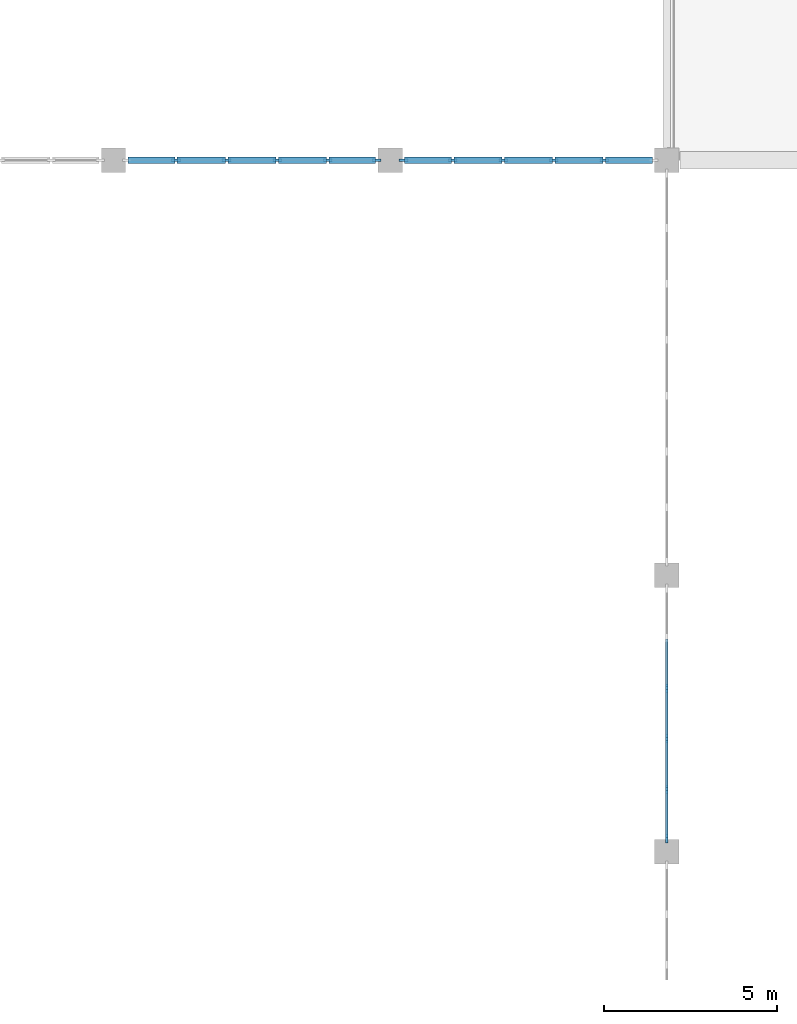
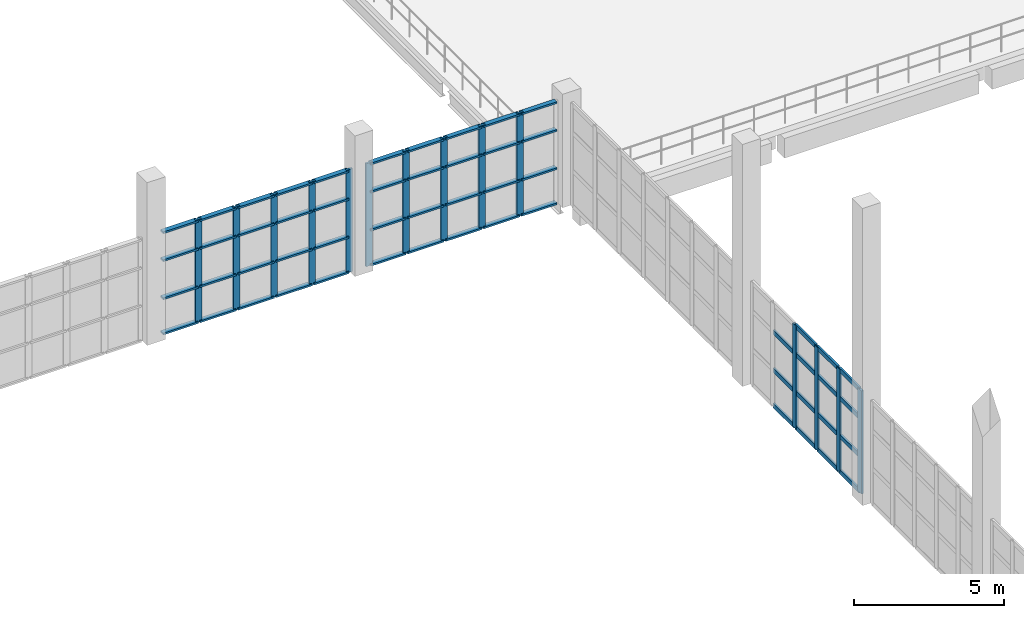
# One storey, part 20 of 66: 69 members, 3 elements without a shape of their own.
"""IFC4 building model written with IfcOpenShell, lengths in metres."""

from ifc_helpers import new_model, si_unit, direction, frame, origin, origin_2d, place, context, subcontext, project, spatial, rectangle, extrude, material, layer, layer_set, material_profile, profile_set, type_object, element, aggregate, save


model = new_model("IFC4")

# Units and contexts
model_context = context("Model", 3, precision=1e-05, world=origin(), true_north=direction((0.0, 1.0)))
body_context = subcontext(model_context, "Body", "Model", "MODEL_VIEW")
ifc_project = project(units=[si_unit("LENGTHUNIT", "METRE"), si_unit("AREAUNIT", "SQUARE_METRE"), si_unit("VOLUMEUNIT", "CUBIC_METRE"), si_unit("PLANEANGLEUNIT", "RADIAN"), si_unit("MASSUNIT", "GRAM", prefix="KILO")], contexts=[model_context])

# Site, building, storey
site_placement = place(None, origin())
site = spatial("IfcSite", under=ifc_project, at=site_placement, CompositionType="ELEMENT")
building_placement = place(site_placement, origin())
building = spatial("IfcBuilding", under=site, at=building_placement, Name="Drelvana Railside Aquatics Centre", CompositionType="ELEMENT")
storey_placement = place(building_placement, frame((0.0, 0.0, 10.199951171875)))
storey = spatial("IfcBuildingStorey", under=building, at=storey_placement, Name="L02", CompositionType="ELEMENT", Elevation=10.199951171875)

# Curtain wall, members
ifc_material_1 = material(Name="Bronze-anodised aluminium curtain wall", Category="aluminium")
ifc_layer = layer(ifc_material_1, 0.219970703125, Name="Bronze-anodised aluminium curtain wall")
ifc_layer_set = layer_set([ifc_layer], Name="Bronze-anodised aluminium curtain wall")
curtain_wall_type = type_object("IfcCurtainWallType", Name="CW-Z3-HIGH", PredefinedType="NOTDEFINED", material=ifc_layer_set)
curtain_wall_1_placement = place(storey_placement, origin())
curtain_wall_1 = element("IfcCurtainWall", 1, at=curtain_wall_1_placement, inside=storey, type_object=curtain_wall_type, Name="Curtain wall CW-03-025", PredefinedType="NOTDEFINED")
ifc_material_2 = material(Name="Bronze-anodised aluminium 6063-T6", Category="aluminium")
ifc_material_profile_1 = material_profile(ifc_material_2, rectangle(XDim=0.080078125, YDim=0.25, at=origin_2d()), Name="ALU-M 80x250")
ifc_profile_set_1 = profile_set([ifc_material_profile_1], Name="Bronze-anodised aluminium 6063-T6")
member_type_1 = type_object("IfcMemberType", Name="CW-Z3-HIGH-MUL", PredefinedType="MULLION", material=ifc_profile_set_1)
member_1_placement = place(storey_placement, frame((81.806396484375, 84.0, -0.005859375), z_axis=(0.0, 0.0, 1.0), x_axis=(0.0, 1.0, 0.0)))
member_1 = element("IfcMember", 2, at=member_1_placement, type_object=member_type_1, Name="CW-03 mullion 2", PredefinedType="MULLION", context=body_context, shape_type="SweptSolid", body=[
    extrude(rectangle(XDim=0.080078125, YDim=0.25, at=origin_2d()), origin(), (0.0, 0.0, 1.0), 4.19580078125),
])
member_2_placement = place(storey_placement, frame((83.268798828125, 84.0, -0.005859375), z_axis=(0.0, 0.0, 1.0), x_axis=(0.0, 1.0, 0.0)))
member_2 = element("IfcMember", 3, at=member_2_placement, type_object=member_type_1, Name="CW-03 mullion 3", PredefinedType="MULLION", context=body_context, shape_type="SweptSolid", body=[
    extrude(rectangle(XDim=0.080078125, YDim=0.25, at=origin_2d()), origin(), (0.0, 0.0, 1.0), 4.19580078125),
])
member_3_placement = place(storey_placement, frame((84.731201171875, 84.0, -0.005859375), z_axis=(0.0, 0.0, 1.0), x_axis=(0.0, 1.0, 0.0)))
member_3 = element("IfcMember", 4, at=member_3_placement, type_object=member_type_1, Name="CW-03 mullion 4", PredefinedType="MULLION", context=body_context, shape_type="SweptSolid", body=[
    extrude(rectangle(XDim=0.080078125, YDim=0.25, at=origin_2d()), origin(), (0.0, 0.0, 1.0), 4.19580078125),
])
member_4_placement = place(storey_placement, frame((86.193603515625, 84.0, -0.005859375), z_axis=(0.0, 0.0, 1.0), x_axis=(0.0, 1.0, 0.0)))
member_4 = element("IfcMember", 5, at=member_4_placement, type_object=member_type_1, Name="CW-03 mullion 5", PredefinedType="MULLION", context=body_context, shape_type="SweptSolid", body=[
    extrude(rectangle(XDim=0.080078125, YDim=0.25, at=origin_2d()), origin(), (0.0, 0.0, 1.0), 4.19580078125),
])
member_5_placement = place(storey_placement, frame((87.615966796875, 84.0, -0.005859375), z_axis=(0.0, 0.0, 1.0), x_axis=(0.0, 1.0, 0.0)))
member_5 = element("IfcMember", 6, at=member_5_placement, type_object=member_type_1, Name="CW-03 mullion 6", PredefinedType="MULLION", context=body_context, shape_type="SweptSolid", body=[
    extrude(rectangle(XDim=0.080078125, YDim=0.25, at=origin_2d()), origin(), (0.0, 0.0, 1.0), 4.19580078125),
])

curtain_wall_2_placement = place(storey_placement, origin())
curtain_wall_2 = element("IfcCurtainWall", 7, at=curtain_wall_2_placement, inside=storey, type_object=curtain_wall_type, Name="Curtain wall CW-03-027", PredefinedType="NOTDEFINED")
member_6_placement = place(storey_placement, frame((88.384033203125, 84.0, -0.005859375), z_axis=(0.0, 0.0, 1.0), x_axis=(0.0, 1.0, 0.0)))
member_6 = element("IfcMember", 8, at=member_6_placement, type_object=member_type_1, Name="CW-03 mullion 1", PredefinedType="MULLION", context=body_context, shape_type="SweptSolid", body=[
    extrude(rectangle(XDim=0.080078125, YDim=0.25, at=origin_2d()), origin(), (0.0, 0.0, 1.0), 4.19580078125),
])
member_7_placement = place(storey_placement, frame((89.806396484375, 84.0, -0.005859375), z_axis=(0.0, 0.0, 1.0), x_axis=(0.0, 1.0, 0.0)))
member_7 = element("IfcMember", 9, at=member_7_placement, type_object=member_type_1, Name="CW-03 mullion 2", PredefinedType="MULLION", context=body_context, shape_type="SweptSolid", body=[
    extrude(rectangle(XDim=0.080078125, YDim=0.25, at=origin_2d()), origin(), (0.0, 0.0, 1.0), 4.19580078125),
])
member_8_placement = place(storey_placement, frame((91.268798828125, 84.0, -0.005859375), z_axis=(0.0, 0.0, 1.0), x_axis=(0.0, 1.0, 0.0)))
member_8 = element("IfcMember", 10, at=member_8_placement, type_object=member_type_1, Name="CW-03 mullion 3", PredefinedType="MULLION", context=body_context, shape_type="SweptSolid", body=[
    extrude(rectangle(XDim=0.080078125, YDim=0.25, at=origin_2d()), origin(), (0.0, 0.0, 1.0), 4.19580078125),
])
member_9_placement = place(storey_placement, frame((92.731201171875, 84.0, -0.005859375), z_axis=(0.0, 0.0, 1.0), x_axis=(0.0, 1.0, 0.0)))
member_9 = element("IfcMember", 11, at=member_9_placement, type_object=member_type_1, Name="CW-03 mullion 4", PredefinedType="MULLION", context=body_context, shape_type="SweptSolid", body=[
    extrude(rectangle(XDim=0.080078125, YDim=0.25, at=origin_2d()), origin(), (0.0, 0.0, 1.0), 4.19580078125),
])
member_10_placement = place(storey_placement, frame((94.193603515625, 84.0, -0.005859375), z_axis=(0.0, 0.0, 1.0), x_axis=(0.0, 1.0, 0.0)))
member_10 = element("IfcMember", 12, at=member_10_placement, type_object=member_type_1, Name="CW-03 mullion 5", PredefinedType="MULLION", context=body_context, shape_type="SweptSolid", body=[
    extrude(rectangle(XDim=0.080078125, YDim=0.25, at=origin_2d()), origin(), (0.0, 0.0, 1.0), 4.19580078125),
])

curtain_wall_3_placement = place(storey_placement, origin())
curtain_wall_3 = element("IfcCurtainWall", 13, at=curtain_wall_3_placement, inside=storey, type_object=curtain_wall_type, Name="Curtain wall CW-03-076", PredefinedType="NOTDEFINED")
member_11_placement = place(storey_placement, frame((96.0, 64.384033203125, -0.005859375), z_axis=(0.0, 0.0, 1.0), x_axis=(-1.0, 0.0, 0.0)))
member_11 = element("IfcMember", 14, at=member_11_placement, type_object=member_type_1, Name="CW-03 mullion 1", PredefinedType="MULLION", context=body_context, shape_type="SweptSolid", body=[
    extrude(rectangle(XDim=0.080078125, YDim=0.25, at=origin_2d()), origin(), (0.0, 0.0, 1.0), 4.19580078125),
])
member_12_placement = place(storey_placement, frame((96.0, 65.806396484375, -0.005859375), z_axis=(0.0, 0.0, 1.0), x_axis=(-1.0, 0.0, 0.0)))
member_12 = element("IfcMember", 15, at=member_12_placement, type_object=member_type_1, Name="CW-03 mullion 2", PredefinedType="MULLION", context=body_context, shape_type="SweptSolid", body=[
    extrude(rectangle(XDim=0.080078125, YDim=0.25, at=origin_2d()), origin(), (0.0, 0.0, 1.0), 4.19580078125),
])
member_13_placement = place(storey_placement, frame((96.0, 67.268798828125, -0.005859375), z_axis=(0.0, 0.0, 1.0), x_axis=(-1.0, 0.0, 0.0)))
member_13 = element("IfcMember", 16, at=member_13_placement, type_object=member_type_1, Name="CW-03 mullion 3", PredefinedType="MULLION", context=body_context, shape_type="SweptSolid", body=[
    extrude(rectangle(XDim=0.080078125, YDim=0.25, at=origin_2d()), origin(), (0.0, 0.0, 1.0), 4.19580078125),
])
member_14_placement = place(storey_placement, frame((96.0, 68.731201171875, -0.005859375), z_axis=(0.0, 0.0, 1.0), x_axis=(-1.0, 0.0, 0.0)))
member_14 = element("IfcMember", 17, at=member_14_placement, type_object=member_type_1, Name="CW-03 mullion 4", PredefinedType="MULLION", context=body_context, shape_type="SweptSolid", body=[
    extrude(rectangle(XDim=0.080078125, YDim=0.25, at=origin_2d()), origin(), (0.0, 0.0, 1.0), 4.19580078125),
])

# Member
ifc_material_profile_2 = material_profile(ifc_material_2, rectangle(XDim=0.179931640625, YDim=0.074951171875, at=origin_2d()), Name="ALU-T 75x180")
ifc_profile_set_2 = profile_set([ifc_material_profile_2], Name="Bronze-anodised aluminium 6063-T6")
member_type_2 = type_object("IfcMemberType", Name="CW-Z3-HIGH-TRN", PredefinedType="USERDEFINED", material=ifc_profile_set_2)
member_15_placement = place(storey_placement, frame((80.4189453125, 84.0, 0.031494140625), z_axis=(1.0, 0.0, 0.0), x_axis=(0.0, 1.0, 0.0)))
member_15 = element("IfcMember", 18, at=member_15_placement, type_object=member_type_2, Name="CW-03 transom 1.1", ObjectType="TRANSOM", PredefinedType="USERDEFINED", context=body_context, shape_type="SweptSolid", body=[
    extrude(rectangle(XDim=0.179931640625, YDim=0.074951171875, at=origin_2d()), origin(), (0.0, 0.0, 1.0), 1.3525390625),
])

member_16_placement = place(storey_placement, frame((80.4189453125, 84.0, 1.463134765625), z_axis=(1.0, 0.0, 0.0), x_axis=(0.0, 1.0, 0.0)))
member_16 = element("IfcMember", 19, at=member_16_placement, type_object=member_type_2, Name="CW-03 transom 1.2", ObjectType="TRANSOM", PredefinedType="USERDEFINED", context=body_context, shape_type="SweptSolid", body=[
    extrude(rectangle(XDim=0.179931640625, YDim=0.074951171875, at=origin_2d()), origin(), (0.0, 0.0, 1.0), 1.3525390625),
])

member_17_placement = place(storey_placement, frame((80.4189453125, 84.0, 3.01513671875), z_axis=(1.0, 0.0, 0.0), x_axis=(0.0, 1.0, 0.0)))
member_17 = element("IfcMember", 20, at=member_17_placement, type_object=member_type_2, Name="CW-03 transom 1.3", ObjectType="TRANSOM", PredefinedType="USERDEFINED", context=body_context, shape_type="SweptSolid", body=[
    extrude(rectangle(XDim=0.179931640625, YDim=0.074951171875, at=origin_2d()), origin(), (0.0, 0.0, 1.0), 1.3525390625),
])

member_18_placement = place(storey_placement, frame((80.4189453125, 84.0, 4.152587890625), z_axis=(1.0, 0.0, 0.0), x_axis=(0.0, 1.0, 0.0)))
member_18 = element("IfcMember", 21, at=member_18_placement, type_object=member_type_2, Name="CW-03 transom 1.4", ObjectType="TRANSOM", PredefinedType="USERDEFINED", context=body_context, shape_type="SweptSolid", body=[
    extrude(rectangle(XDim=0.179931640625, YDim=0.074951171875, at=origin_2d()), origin(), (0.0, 0.0, 1.0), 1.3525390625),
])

member_19_placement = place(storey_placement, frame((81.84130859375, 84.0, 0.031494140625), z_axis=(1.0, 0.0, 0.0), x_axis=(0.0, 1.0, 0.0)))
member_19 = element("IfcMember", 22, at=member_19_placement, type_object=member_type_2, Name="CW-03 transom 2.1", ObjectType="TRANSOM", PredefinedType="USERDEFINED", context=body_context, shape_type="SweptSolid", body=[
    extrude(rectangle(XDim=0.179931640625, YDim=0.074951171875, at=origin_2d()), origin(), (0.0, 0.0, 1.0), 1.392578125),
])

member_20_placement = place(storey_placement, frame((81.84130859375, 84.0, 1.463134765625), z_axis=(1.0, 0.0, 0.0), x_axis=(0.0, 1.0, 0.0)))
member_20 = element("IfcMember", 23, at=member_20_placement, type_object=member_type_2, Name="CW-03 transom 2.2", ObjectType="TRANSOM", PredefinedType="USERDEFINED", context=body_context, shape_type="SweptSolid", body=[
    extrude(rectangle(XDim=0.179931640625, YDim=0.074951171875, at=origin_2d()), origin(), (0.0, 0.0, 1.0), 1.392578125),
])

member_21_placement = place(storey_placement, frame((81.84130859375, 84.0, 3.01513671875), z_axis=(1.0, 0.0, 0.0), x_axis=(0.0, 1.0, 0.0)))
member_21 = element("IfcMember", 24, at=member_21_placement, type_object=member_type_2, Name="CW-03 transom 2.3", ObjectType="TRANSOM", PredefinedType="USERDEFINED", context=body_context, shape_type="SweptSolid", body=[
    extrude(rectangle(XDim=0.179931640625, YDim=0.074951171875, at=origin_2d()), origin(), (0.0, 0.0, 1.0), 1.392578125),
])

member_22_placement = place(storey_placement, frame((81.84130859375, 84.0, 4.152587890625), z_axis=(1.0, 0.0, 0.0), x_axis=(0.0, 1.0, 0.0)))
member_22 = element("IfcMember", 25, at=member_22_placement, type_object=member_type_2, Name="CW-03 transom 2.4", ObjectType="TRANSOM", PredefinedType="USERDEFINED", context=body_context, shape_type="SweptSolid", body=[
    extrude(rectangle(XDim=0.179931640625, YDim=0.074951171875, at=origin_2d()), origin(), (0.0, 0.0, 1.0), 1.392578125),
])

member_23_placement = place(storey_placement, frame((83.3037109375, 84.0, 0.031494140625), z_axis=(1.0, 0.0, 0.0), x_axis=(0.0, 1.0, 0.0)))
member_23 = element("IfcMember", 26, at=member_23_placement, type_object=member_type_2, Name="CW-03 transom 3.1", ObjectType="TRANSOM", PredefinedType="USERDEFINED", context=body_context, shape_type="SweptSolid", body=[
    extrude(rectangle(XDim=0.179931640625, YDim=0.074951171875, at=origin_2d()), origin(), (0.0, 0.0, 1.0), 1.392578125),
])

member_24_placement = place(storey_placement, frame((83.3037109375, 84.0, 1.463134765625), z_axis=(1.0, 0.0, 0.0), x_axis=(0.0, 1.0, 0.0)))
member_24 = element("IfcMember", 27, at=member_24_placement, type_object=member_type_2, Name="CW-03 transom 3.2", ObjectType="TRANSOM", PredefinedType="USERDEFINED", context=body_context, shape_type="SweptSolid", body=[
    extrude(rectangle(XDim=0.179931640625, YDim=0.074951171875, at=origin_2d()), origin(), (0.0, 0.0, 1.0), 1.392578125),
])

member_25_placement = place(storey_placement, frame((83.3037109375, 84.0, 3.01513671875), z_axis=(1.0, 0.0, 0.0), x_axis=(0.0, 1.0, 0.0)))
member_25 = element("IfcMember", 28, at=member_25_placement, type_object=member_type_2, Name="CW-03 transom 3.3", ObjectType="TRANSOM", PredefinedType="USERDEFINED", context=body_context, shape_type="SweptSolid", body=[
    extrude(rectangle(XDim=0.179931640625, YDim=0.074951171875, at=origin_2d()), origin(), (0.0, 0.0, 1.0), 1.392578125),
])

member_26_placement = place(storey_placement, frame((83.3037109375, 84.0, 4.152587890625), z_axis=(1.0, 0.0, 0.0), x_axis=(0.0, 1.0, 0.0)))
member_26 = element("IfcMember", 29, at=member_26_placement, type_object=member_type_2, Name="CW-03 transom 3.4", ObjectType="TRANSOM", PredefinedType="USERDEFINED", context=body_context, shape_type="SweptSolid", body=[
    extrude(rectangle(XDim=0.179931640625, YDim=0.074951171875, at=origin_2d()), origin(), (0.0, 0.0, 1.0), 1.392578125),
])

member_27_placement = place(storey_placement, frame((84.76611328125, 84.0, 0.031494140625), z_axis=(1.0, 0.0, 0.0), x_axis=(0.0, 1.0, 0.0)))
member_27 = element("IfcMember", 30, at=member_27_placement, type_object=member_type_2, Name="CW-03 transom 4.1", ObjectType="TRANSOM", PredefinedType="USERDEFINED", context=body_context, shape_type="SweptSolid", body=[
    extrude(rectangle(XDim=0.179931640625, YDim=0.074951171875, at=origin_2d()), origin(), (0.0, 0.0, 1.0), 1.392578125),
])

member_28_placement = place(storey_placement, frame((84.76611328125, 84.0, 1.463134765625), z_axis=(1.0, 0.0, 0.0), x_axis=(0.0, 1.0, 0.0)))
member_28 = element("IfcMember", 31, at=member_28_placement, type_object=member_type_2, Name="CW-03 transom 4.2", ObjectType="TRANSOM", PredefinedType="USERDEFINED", context=body_context, shape_type="SweptSolid", body=[
    extrude(rectangle(XDim=0.179931640625, YDim=0.074951171875, at=origin_2d()), origin(), (0.0, 0.0, 1.0), 1.392578125),
])

member_29_placement = place(storey_placement, frame((84.76611328125, 84.0, 3.01513671875), z_axis=(1.0, 0.0, 0.0), x_axis=(0.0, 1.0, 0.0)))
member_29 = element("IfcMember", 32, at=member_29_placement, type_object=member_type_2, Name="CW-03 transom 4.3", ObjectType="TRANSOM", PredefinedType="USERDEFINED", context=body_context, shape_type="SweptSolid", body=[
    extrude(rectangle(XDim=0.179931640625, YDim=0.074951171875, at=origin_2d()), origin(), (0.0, 0.0, 1.0), 1.392578125),
])

member_30_placement = place(storey_placement, frame((84.76611328125, 84.0, 4.152587890625), z_axis=(1.0, 0.0, 0.0), x_axis=(0.0, 1.0, 0.0)))
member_30 = element("IfcMember", 33, at=member_30_placement, type_object=member_type_2, Name="CW-03 transom 4.4", ObjectType="TRANSOM", PredefinedType="USERDEFINED", context=body_context, shape_type="SweptSolid", body=[
    extrude(rectangle(XDim=0.179931640625, YDim=0.074951171875, at=origin_2d()), origin(), (0.0, 0.0, 1.0), 1.392578125),
])

member_31_placement = place(storey_placement, frame((86.228515625, 84.0, 0.031494140625), z_axis=(1.0, 0.0, 0.0), x_axis=(0.0, 1.0, 0.0)))
member_31 = element("IfcMember", 34, at=member_31_placement, type_object=member_type_2, Name="CW-03 transom 5.1", ObjectType="TRANSOM", PredefinedType="USERDEFINED", context=body_context, shape_type="SweptSolid", body=[
    extrude(rectangle(XDim=0.179931640625, YDim=0.074951171875, at=origin_2d()), origin(), (0.0, 0.0, 1.0), 1.3525390625),
])

member_32_placement = place(storey_placement, frame((86.228515625, 84.0, 1.463134765625), z_axis=(1.0, 0.0, 0.0), x_axis=(0.0, 1.0, 0.0)))
member_32 = element("IfcMember", 35, at=member_32_placement, type_object=member_type_2, Name="CW-03 transom 5.2", ObjectType="TRANSOM", PredefinedType="USERDEFINED", context=body_context, shape_type="SweptSolid", body=[
    extrude(rectangle(XDim=0.179931640625, YDim=0.074951171875, at=origin_2d()), origin(), (0.0, 0.0, 1.0), 1.3525390625),
])

member_33_placement = place(storey_placement, frame((86.228515625, 84.0, 3.01513671875), z_axis=(1.0, 0.0, 0.0), x_axis=(0.0, 1.0, 0.0)))
member_33 = element("IfcMember", 36, at=member_33_placement, type_object=member_type_2, Name="CW-03 transom 5.3", ObjectType="TRANSOM", PredefinedType="USERDEFINED", context=body_context, shape_type="SweptSolid", body=[
    extrude(rectangle(XDim=0.179931640625, YDim=0.074951171875, at=origin_2d()), origin(), (0.0, 0.0, 1.0), 1.3525390625),
])

member_34_placement = place(storey_placement, frame((86.228515625, 84.0, 4.152587890625), z_axis=(1.0, 0.0, 0.0), x_axis=(0.0, 1.0, 0.0)))
member_34 = element("IfcMember", 37, at=member_34_placement, type_object=member_type_2, Name="CW-03 transom 5.4", ObjectType="TRANSOM", PredefinedType="USERDEFINED", context=body_context, shape_type="SweptSolid", body=[
    extrude(rectangle(XDim=0.179931640625, YDim=0.074951171875, at=origin_2d()), origin(), (0.0, 0.0, 1.0), 1.3525390625),
])

aggregate(curtain_wall_1, [member_1, member_2, member_3, member_4, member_5, member_15, member_16, member_17, member_18, member_19, member_20, member_21, member_22, member_23, member_24, member_25, member_26, member_27, member_28, member_29, member_30, member_31, member_32, member_33, member_34])

member_35_placement = place(storey_placement, frame((88.4189453125, 84.0, 0.031494140625), z_axis=(1.0, 0.0, 0.0), x_axis=(0.0, 1.0, 0.0)))
member_35 = element("IfcMember", 38, at=member_35_placement, type_object=member_type_2, Name="CW-03 transom 1.1", ObjectType="TRANSOM", PredefinedType="USERDEFINED", context=body_context, shape_type="SweptSolid", body=[
    extrude(rectangle(XDim=0.179931640625, YDim=0.074951171875, at=origin_2d()), origin(), (0.0, 0.0, 1.0), 1.3525390625),
])

member_36_placement = place(storey_placement, frame((88.4189453125, 84.0, 1.463134765625), z_axis=(1.0, 0.0, 0.0), x_axis=(0.0, 1.0, 0.0)))
member_36 = element("IfcMember", 39, at=member_36_placement, type_object=member_type_2, Name="CW-03 transom 1.2", ObjectType="TRANSOM", PredefinedType="USERDEFINED", context=body_context, shape_type="SweptSolid", body=[
    extrude(rectangle(XDim=0.179931640625, YDim=0.074951171875, at=origin_2d()), origin(), (0.0, 0.0, 1.0), 1.3525390625),
])

member_37_placement = place(storey_placement, frame((88.4189453125, 84.0, 3.01513671875), z_axis=(1.0, 0.0, 0.0), x_axis=(0.0, 1.0, 0.0)))
member_37 = element("IfcMember", 40, at=member_37_placement, type_object=member_type_2, Name="CW-03 transom 1.3", ObjectType="TRANSOM", PredefinedType="USERDEFINED", context=body_context, shape_type="SweptSolid", body=[
    extrude(rectangle(XDim=0.179931640625, YDim=0.074951171875, at=origin_2d()), origin(), (0.0, 0.0, 1.0), 1.3525390625),
])

member_38_placement = place(storey_placement, frame((88.4189453125, 84.0, 4.152587890625), z_axis=(1.0, 0.0, 0.0), x_axis=(0.0, 1.0, 0.0)))
member_38 = element("IfcMember", 41, at=member_38_placement, type_object=member_type_2, Name="CW-03 transom 1.4", ObjectType="TRANSOM", PredefinedType="USERDEFINED", context=body_context, shape_type="SweptSolid", body=[
    extrude(rectangle(XDim=0.179931640625, YDim=0.074951171875, at=origin_2d()), origin(), (0.0, 0.0, 1.0), 1.3525390625),
])

member_39_placement = place(storey_placement, frame((89.84130859375, 84.0, 0.031494140625), z_axis=(1.0, 0.0, 0.0), x_axis=(0.0, 1.0, 0.0)))
member_39 = element("IfcMember", 42, at=member_39_placement, type_object=member_type_2, Name="CW-03 transom 2.1", ObjectType="TRANSOM", PredefinedType="USERDEFINED", context=body_context, shape_type="SweptSolid", body=[
    extrude(rectangle(XDim=0.179931640625, YDim=0.074951171875, at=origin_2d()), origin(), (0.0, 0.0, 1.0), 1.392578125),
])

member_40_placement = place(storey_placement, frame((89.84130859375, 84.0, 1.463134765625), z_axis=(1.0, 0.0, 0.0), x_axis=(0.0, 1.0, 0.0)))
member_40 = element("IfcMember", 43, at=member_40_placement, type_object=member_type_2, Name="CW-03 transom 2.2", ObjectType="TRANSOM", PredefinedType="USERDEFINED", context=body_context, shape_type="SweptSolid", body=[
    extrude(rectangle(XDim=0.179931640625, YDim=0.074951171875, at=origin_2d()), origin(), (0.0, 0.0, 1.0), 1.392578125),
])

member_41_placement = place(storey_placement, frame((89.84130859375, 84.0, 3.01513671875), z_axis=(1.0, 0.0, 0.0), x_axis=(0.0, 1.0, 0.0)))
member_41 = element("IfcMember", 44, at=member_41_placement, type_object=member_type_2, Name="CW-03 transom 2.3", ObjectType="TRANSOM", PredefinedType="USERDEFINED", context=body_context, shape_type="SweptSolid", body=[
    extrude(rectangle(XDim=0.179931640625, YDim=0.074951171875, at=origin_2d()), origin(), (0.0, 0.0, 1.0), 1.392578125),
])

member_42_placement = place(storey_placement, frame((89.84130859375, 84.0, 4.152587890625), z_axis=(1.0, 0.0, 0.0), x_axis=(0.0, 1.0, 0.0)))
member_42 = element("IfcMember", 45, at=member_42_placement, type_object=member_type_2, Name="CW-03 transom 2.4", ObjectType="TRANSOM", PredefinedType="USERDEFINED", context=body_context, shape_type="SweptSolid", body=[
    extrude(rectangle(XDim=0.179931640625, YDim=0.074951171875, at=origin_2d()), origin(), (0.0, 0.0, 1.0), 1.392578125),
])

member_43_placement = place(storey_placement, frame((91.3037109375, 84.0, 0.031494140625), z_axis=(1.0, 0.0, 0.0), x_axis=(0.0, 1.0, 0.0)))
member_43 = element("IfcMember", 46, at=member_43_placement, type_object=member_type_2, Name="CW-03 transom 3.1", ObjectType="TRANSOM", PredefinedType="USERDEFINED", context=body_context, shape_type="SweptSolid", body=[
    extrude(rectangle(XDim=0.179931640625, YDim=0.074951171875, at=origin_2d()), origin(), (0.0, 0.0, 1.0), 1.392578125),
])

member_44_placement = place(storey_placement, frame((91.3037109375, 84.0, 1.463134765625), z_axis=(1.0, 0.0, 0.0), x_axis=(0.0, 1.0, 0.0)))
member_44 = element("IfcMember", 47, at=member_44_placement, type_object=member_type_2, Name="CW-03 transom 3.2", ObjectType="TRANSOM", PredefinedType="USERDEFINED", context=body_context, shape_type="SweptSolid", body=[
    extrude(rectangle(XDim=0.179931640625, YDim=0.074951171875, at=origin_2d()), origin(), (0.0, 0.0, 1.0), 1.392578125),
])

member_45_placement = place(storey_placement, frame((91.3037109375, 84.0, 3.01513671875), z_axis=(1.0, 0.0, 0.0), x_axis=(0.0, 1.0, 0.0)))
member_45 = element("IfcMember", 48, at=member_45_placement, type_object=member_type_2, Name="CW-03 transom 3.3", ObjectType="TRANSOM", PredefinedType="USERDEFINED", context=body_context, shape_type="SweptSolid", body=[
    extrude(rectangle(XDim=0.179931640625, YDim=0.074951171875, at=origin_2d()), origin(), (0.0, 0.0, 1.0), 1.392578125),
])

member_46_placement = place(storey_placement, frame((91.3037109375, 84.0, 4.152587890625), z_axis=(1.0, 0.0, 0.0), x_axis=(0.0, 1.0, 0.0)))
member_46 = element("IfcMember", 49, at=member_46_placement, type_object=member_type_2, Name="CW-03 transom 3.4", ObjectType="TRANSOM", PredefinedType="USERDEFINED", context=body_context, shape_type="SweptSolid", body=[
    extrude(rectangle(XDim=0.179931640625, YDim=0.074951171875, at=origin_2d()), origin(), (0.0, 0.0, 1.0), 1.392578125),
])

member_47_placement = place(storey_placement, frame((92.76611328125, 84.0, 0.031494140625), z_axis=(1.0, 0.0, 0.0), x_axis=(0.0, 1.0, 0.0)))
member_47 = element("IfcMember", 50, at=member_47_placement, type_object=member_type_2, Name="CW-03 transom 4.1", ObjectType="TRANSOM", PredefinedType="USERDEFINED", context=body_context, shape_type="SweptSolid", body=[
    extrude(rectangle(XDim=0.179931640625, YDim=0.074951171875, at=origin_2d()), origin(), (0.0, 0.0, 1.0), 1.392578125),
])

member_48_placement = place(storey_placement, frame((92.76611328125, 84.0, 1.463134765625), z_axis=(1.0, 0.0, 0.0), x_axis=(0.0, 1.0, 0.0)))
member_48 = element("IfcMember", 51, at=member_48_placement, type_object=member_type_2, Name="CW-03 transom 4.2", ObjectType="TRANSOM", PredefinedType="USERDEFINED", context=body_context, shape_type="SweptSolid", body=[
    extrude(rectangle(XDim=0.179931640625, YDim=0.074951171875, at=origin_2d()), origin(), (0.0, 0.0, 1.0), 1.392578125),
])

member_49_placement = place(storey_placement, frame((92.76611328125, 84.0, 3.01513671875), z_axis=(1.0, 0.0, 0.0), x_axis=(0.0, 1.0, 0.0)))
member_49 = element("IfcMember", 52, at=member_49_placement, type_object=member_type_2, Name="CW-03 transom 4.3", ObjectType="TRANSOM", PredefinedType="USERDEFINED", context=body_context, shape_type="SweptSolid", body=[
    extrude(rectangle(XDim=0.179931640625, YDim=0.074951171875, at=origin_2d()), origin(), (0.0, 0.0, 1.0), 1.392578125),
])

member_50_placement = place(storey_placement, frame((92.76611328125, 84.0, 4.152587890625), z_axis=(1.0, 0.0, 0.0), x_axis=(0.0, 1.0, 0.0)))
member_50 = element("IfcMember", 53, at=member_50_placement, type_object=member_type_2, Name="CW-03 transom 4.4", ObjectType="TRANSOM", PredefinedType="USERDEFINED", context=body_context, shape_type="SweptSolid", body=[
    extrude(rectangle(XDim=0.179931640625, YDim=0.074951171875, at=origin_2d()), origin(), (0.0, 0.0, 1.0), 1.392578125),
])

member_51_placement = place(storey_placement, frame((94.228515625, 84.0, 0.031494140625), z_axis=(1.0, 0.0, 0.0), x_axis=(0.0, 1.0, 0.0)))
member_51 = element("IfcMember", 54, at=member_51_placement, type_object=member_type_2, Name="CW-03 transom 5.1", ObjectType="TRANSOM", PredefinedType="USERDEFINED", context=body_context, shape_type="SweptSolid", body=[
    extrude(rectangle(XDim=0.179931640625, YDim=0.074951171875, at=origin_2d()), origin(), (0.0, 0.0, 1.0), 1.3525390625),
])

member_52_placement = place(storey_placement, frame((94.228515625, 84.0, 1.463134765625), z_axis=(1.0, 0.0, 0.0), x_axis=(0.0, 1.0, 0.0)))
member_52 = element("IfcMember", 55, at=member_52_placement, type_object=member_type_2, Name="CW-03 transom 5.2", ObjectType="TRANSOM", PredefinedType="USERDEFINED", context=body_context, shape_type="SweptSolid", body=[
    extrude(rectangle(XDim=0.179931640625, YDim=0.074951171875, at=origin_2d()), origin(), (0.0, 0.0, 1.0), 1.3525390625),
])

member_53_placement = place(storey_placement, frame((94.228515625, 84.0, 3.01513671875), z_axis=(1.0, 0.0, 0.0), x_axis=(0.0, 1.0, 0.0)))
member_53 = element("IfcMember", 56, at=member_53_placement, type_object=member_type_2, Name="CW-03 transom 5.3", ObjectType="TRANSOM", PredefinedType="USERDEFINED", context=body_context, shape_type="SweptSolid", body=[
    extrude(rectangle(XDim=0.179931640625, YDim=0.074951171875, at=origin_2d()), origin(), (0.0, 0.0, 1.0), 1.3525390625),
])

member_54_placement = place(storey_placement, frame((94.228515625, 84.0, 4.152587890625), z_axis=(1.0, 0.0, 0.0), x_axis=(0.0, 1.0, 0.0)))
member_54 = element("IfcMember", 57, at=member_54_placement, type_object=member_type_2, Name="CW-03 transom 5.4", ObjectType="TRANSOM", PredefinedType="USERDEFINED", context=body_context, shape_type="SweptSolid", body=[
    extrude(rectangle(XDim=0.179931640625, YDim=0.074951171875, at=origin_2d()), origin(), (0.0, 0.0, 1.0), 1.3525390625),
])

aggregate(curtain_wall_2, [member_6, member_7, member_8, member_9, member_10, member_35, member_36, member_37, member_38, member_39, member_40, member_41, member_42, member_43, member_44, member_45, member_46, member_47, member_48, member_49, member_50, member_51, member_52, member_53, member_54])

member_55_placement = place(storey_placement, frame((96.0, 64.4189453125, 0.031494140625), z_axis=(0.0, 1.0, 0.0), x_axis=(0.0, 0.0, 1.0)))
member_55 = element("IfcMember", 58, at=member_55_placement, type_object=member_type_2, Name="CW-03 transom 1.1", ObjectType="TRANSOM", PredefinedType="USERDEFINED", context=body_context, shape_type="SweptSolid", body=[
    extrude(rectangle(XDim=0.179931640625, YDim=0.074951171875, at=origin_2d()), origin(), (0.0, 0.0, 1.0), 1.3525390625),
])

member_56_placement = place(storey_placement, frame((96.0, 64.4189453125, 1.463134765625), z_axis=(0.0, 1.0, 0.0), x_axis=(0.0, 0.0, 1.0)))
member_56 = element("IfcMember", 59, at=member_56_placement, type_object=member_type_2, Name="CW-03 transom 1.2", ObjectType="TRANSOM", PredefinedType="USERDEFINED", context=body_context, shape_type="SweptSolid", body=[
    extrude(rectangle(XDim=0.179931640625, YDim=0.074951171875, at=origin_2d()), origin(), (0.0, 0.0, 1.0), 1.3525390625),
])

member_57_placement = place(storey_placement, frame((96.0, 64.4189453125, 3.01513671875), z_axis=(0.0, 1.0, 0.0), x_axis=(0.0, 0.0, 1.0)))
member_57 = element("IfcMember", 60, at=member_57_placement, type_object=member_type_2, Name="CW-03 transom 1.3", ObjectType="TRANSOM", PredefinedType="USERDEFINED", context=body_context, shape_type="SweptSolid", body=[
    extrude(rectangle(XDim=0.179931640625, YDim=0.074951171875, at=origin_2d()), origin(), (0.0, 0.0, 1.0), 1.3525390625),
])

member_58_placement = place(storey_placement, frame((96.0, 64.4189453125, 4.152587890625), z_axis=(0.0, 1.0, 0.0), x_axis=(0.0, 0.0, 1.0)))
member_58 = element("IfcMember", 61, at=member_58_placement, type_object=member_type_2, Name="CW-03 transom 1.4", ObjectType="TRANSOM", PredefinedType="USERDEFINED", context=body_context, shape_type="SweptSolid", body=[
    extrude(rectangle(XDim=0.179931640625, YDim=0.074951171875, at=origin_2d()), origin(), (0.0, 0.0, 1.0), 1.3525390625),
])

member_59_placement = place(storey_placement, frame((96.0, 65.84130859375, 0.031494140625), z_axis=(0.0, 1.0, 0.0), x_axis=(0.0, 0.0, 1.0)))
member_59 = element("IfcMember", 62, at=member_59_placement, type_object=member_type_2, Name="CW-03 transom 2.1", ObjectType="TRANSOM", PredefinedType="USERDEFINED", context=body_context, shape_type="SweptSolid", body=[
    extrude(rectangle(XDim=0.179931640625, YDim=0.074951171875, at=origin_2d()), origin(), (0.0, 0.0, 1.0), 1.392578125),
])

member_60_placement = place(storey_placement, frame((96.0, 65.84130859375, 1.463134765625), z_axis=(0.0, 1.0, 0.0), x_axis=(0.0, 0.0, 1.0)))
member_60 = element("IfcMember", 63, at=member_60_placement, type_object=member_type_2, Name="CW-03 transom 2.2", ObjectType="TRANSOM", PredefinedType="USERDEFINED", context=body_context, shape_type="SweptSolid", body=[
    extrude(rectangle(XDim=0.179931640625, YDim=0.074951171875, at=origin_2d()), origin(), (0.0, 0.0, 1.0), 1.392578125),
])

member_61_placement = place(storey_placement, frame((96.0, 65.84130859375, 3.01513671875), z_axis=(0.0, 1.0, 0.0), x_axis=(0.0, 0.0, 1.0)))
member_61 = element("IfcMember", 64, at=member_61_placement, type_object=member_type_2, Name="CW-03 transom 2.3", ObjectType="TRANSOM", PredefinedType="USERDEFINED", context=body_context, shape_type="SweptSolid", body=[
    extrude(rectangle(XDim=0.179931640625, YDim=0.074951171875, at=origin_2d()), origin(), (0.0, 0.0, 1.0), 1.392578125),
])

member_62_placement = place(storey_placement, frame((96.0, 65.84130859375, 4.152587890625), z_axis=(0.0, 1.0, 0.0), x_axis=(0.0, 0.0, 1.0)))
member_62 = element("IfcMember", 65, at=member_62_placement, type_object=member_type_2, Name="CW-03 transom 2.4", ObjectType="TRANSOM", PredefinedType="USERDEFINED", context=body_context, shape_type="SweptSolid", body=[
    extrude(rectangle(XDim=0.179931640625, YDim=0.074951171875, at=origin_2d()), origin(), (0.0, 0.0, 1.0), 1.392578125),
])

member_63_placement = place(storey_placement, frame((96.0, 67.3037109375, 0.031494140625), z_axis=(0.0, 1.0, 0.0), x_axis=(0.0, 0.0, 1.0)))
member_63 = element("IfcMember", 66, at=member_63_placement, type_object=member_type_2, Name="CW-03 transom 3.1", ObjectType="TRANSOM", PredefinedType="USERDEFINED", context=body_context, shape_type="SweptSolid", body=[
    extrude(rectangle(XDim=0.179931640625, YDim=0.074951171875, at=origin_2d()), origin(), (0.0, 0.0, 1.0), 1.392578125),
])

member_64_placement = place(storey_placement, frame((96.0, 67.3037109375, 1.463134765625), z_axis=(0.0, 1.0, 0.0), x_axis=(0.0, 0.0, 1.0)))
member_64 = element("IfcMember", 67, at=member_64_placement, type_object=member_type_2, Name="CW-03 transom 3.2", ObjectType="TRANSOM", PredefinedType="USERDEFINED", context=body_context, shape_type="SweptSolid", body=[
    extrude(rectangle(XDim=0.179931640625, YDim=0.074951171875, at=origin_2d()), origin(), (0.0, 0.0, 1.0), 1.392578125),
])

member_65_placement = place(storey_placement, frame((96.0, 67.3037109375, 3.01513671875), z_axis=(0.0, 1.0, 0.0), x_axis=(0.0, 0.0, 1.0)))
member_65 = element("IfcMember", 68, at=member_65_placement, type_object=member_type_2, Name="CW-03 transom 3.3", ObjectType="TRANSOM", PredefinedType="USERDEFINED", context=body_context, shape_type="SweptSolid", body=[
    extrude(rectangle(XDim=0.179931640625, YDim=0.074951171875, at=origin_2d()), origin(), (0.0, 0.0, 1.0), 1.392578125),
])

member_66_placement = place(storey_placement, frame((96.0, 67.3037109375, 4.152587890625), z_axis=(0.0, 1.0, 0.0), x_axis=(0.0, 0.0, 1.0)))
member_66 = element("IfcMember", 69, at=member_66_placement, type_object=member_type_2, Name="CW-03 transom 3.4", ObjectType="TRANSOM", PredefinedType="USERDEFINED", context=body_context, shape_type="SweptSolid", body=[
    extrude(rectangle(XDim=0.179931640625, YDim=0.074951171875, at=origin_2d()), origin(), (0.0, 0.0, 1.0), 1.392578125),
])

member_67_placement = place(storey_placement, frame((96.0, 68.76611328125, 0.031494140625), z_axis=(0.0, 1.0, 0.0), x_axis=(0.0, 0.0, 1.0)))
member_67 = element("IfcMember", 70, at=member_67_placement, type_object=member_type_2, Name="CW-03 transom 4.1", ObjectType="TRANSOM", PredefinedType="USERDEFINED", context=body_context, shape_type="SweptSolid", body=[
    extrude(rectangle(XDim=0.179931640625, YDim=0.074951171875, at=origin_2d()), origin(), (0.0, 0.0, 1.0), 1.392578125),
])

member_68_placement = place(storey_placement, frame((96.0, 68.76611328125, 1.463134765625), z_axis=(0.0, 1.0, 0.0), x_axis=(0.0, 0.0, 1.0)))
member_68 = element("IfcMember", 71, at=member_68_placement, type_object=member_type_2, Name="CW-03 transom 4.2", ObjectType="TRANSOM", PredefinedType="USERDEFINED", context=body_context, shape_type="SweptSolid", body=[
    extrude(rectangle(XDim=0.179931640625, YDim=0.074951171875, at=origin_2d()), origin(), (0.0, 0.0, 1.0), 1.392578125),
])

member_69_placement = place(storey_placement, frame((96.0, 68.76611328125, 3.01513671875), z_axis=(0.0, 1.0, 0.0), x_axis=(0.0, 0.0, 1.0)))
member_69 = element("IfcMember", 72, at=member_69_placement, type_object=member_type_2, Name="CW-03 transom 4.3", ObjectType="TRANSOM", PredefinedType="USERDEFINED", context=body_context, shape_type="SweptSolid", body=[
    extrude(rectangle(XDim=0.179931640625, YDim=0.074951171875, at=origin_2d()), origin(), (0.0, 0.0, 1.0), 1.392578125),
])

aggregate(curtain_wall_3, [member_11, member_12, member_13, member_14, member_55, member_56, member_57, member_58, member_59, member_60, member_61, member_62, member_63, member_64, member_65, member_66, member_67, member_68, member_69])

save(model, "model.ifc")
